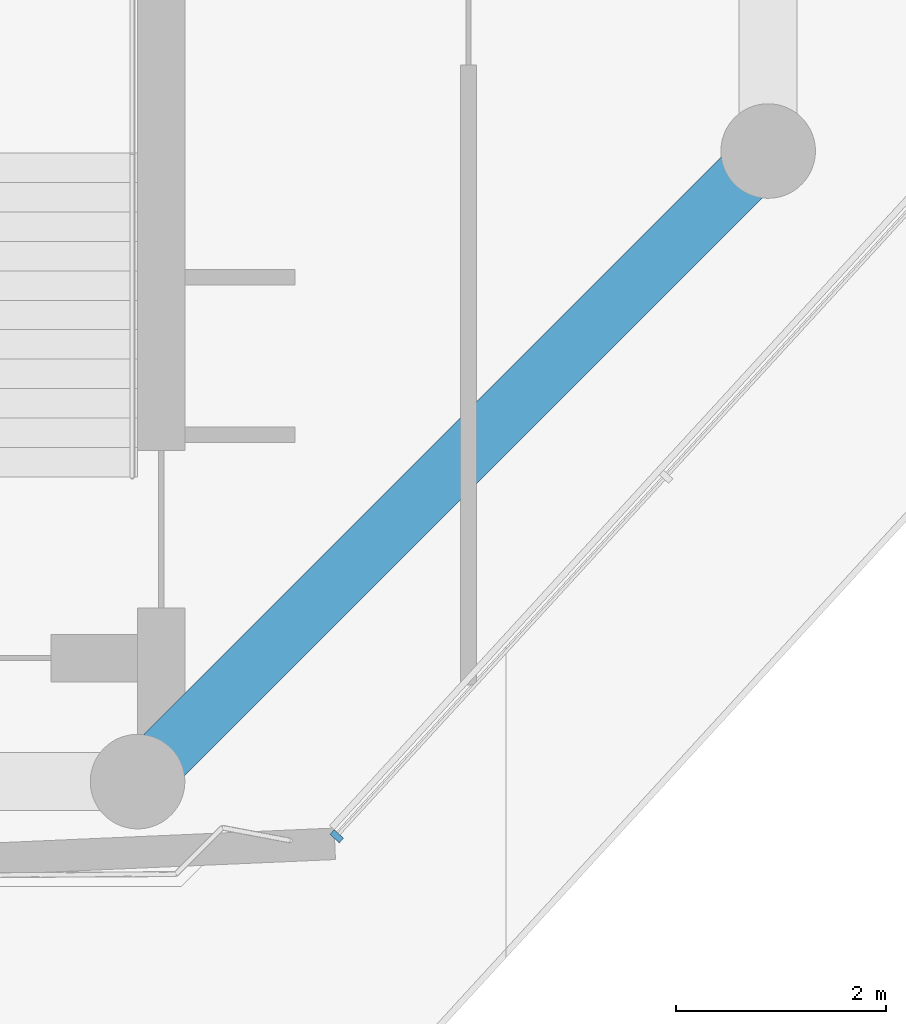
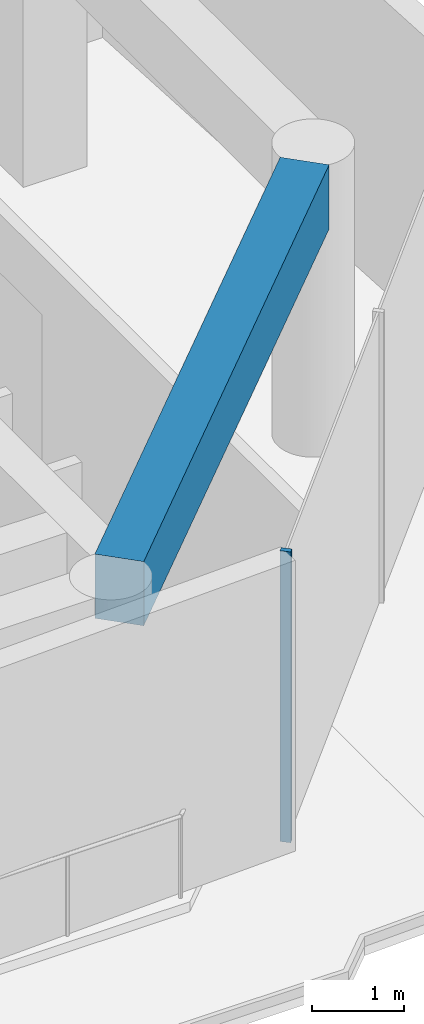
# One storey, part 3 of 21: 1 beam, 1 member, 1 element without a shape of its own.
"""IFC4 building model written with IfcOpenShell, lengths in metres."""

from ifc_helpers import new_model, si_unit, direction, frame, origin, origin_2d, place, context, subcontext, project, spatial, rectangle, extrude, material, layer, layer_set, material_profile, profile_set, type_object, element, aggregate, save


model = new_model("IFC4")

# Units and contexts
model_context = context("Model", 3, precision=1e-05, world=origin(), true_north=direction((0.0, 1.0)))
body_context = subcontext(model_context, "Body", "Model", "MODEL_VIEW")
ifc_project = project(units=[si_unit("LENGTHUNIT", "METRE"), si_unit("AREAUNIT", "SQUARE_METRE"), si_unit("VOLUMEUNIT", "CUBIC_METRE"), si_unit("PLANEANGLEUNIT", "RADIAN"), si_unit("MASSUNIT", "GRAM", prefix="KILO")], contexts=[model_context])

# Site, building, storey
site_placement = place(None, origin())
site = spatial("IfcSite", under=ifc_project, at=site_placement, CompositionType="ELEMENT")
building_placement = place(site_placement, origin())
building = spatial("IfcBuilding", under=site, at=building_placement, Name="Welwitschia Terrace Campus", CompositionType="ELEMENT")
storey_placement = place(building_placement, frame((0.0, 0.0, 218.0)))
storey = spatial("IfcBuildingStorey", under=building, at=storey_placement, Name="L48", CompositionType="ELEMENT", Elevation=218.0)

# Curtain wall, member
ifc_material_1 = material(Name="Bronze anodised aluminium", Category="aluminium")
ifc_layer = layer(ifc_material_1, 0.1201171875)
ifc_layer_set = layer_set([ifc_layer], Name="Bronze anodised aluminium")
curtain_wall_type = type_object("IfcCurtainWallType", Name="Curtain wall CW2 tower 6000", PredefinedType="NOTDEFINED", material=ifc_layer_set)
curtain_wall_placement = place(storey_placement, origin())
curtain_wall = element("IfcCurtainWall", 1, at=curtain_wall_placement, inside=storey, type_object=curtain_wall_type, Name="CW L48.2.0", PredefinedType="NOTDEFINED")
ifc_material_2 = material(Name="Bronze anodised aluminium", Category="aluminium")
ifc_material_profile_1 = material_profile(ifc_material_2, rectangle(XDim=0.1201171875, YDim=0.06005859375, at=origin_2d()))
ifc_profile_set_1 = profile_set([ifc_material_profile_1], Name="Bronze anodised aluminium")
member_type = type_object("IfcMemberType", Name="Mullion 60x120", PredefinedType="MULLION", material=ifc_profile_set_1)
member_placement = place(storey_placement, frame((25.89453125, 3.47998046875, 0.0), z_axis=(0.0, 0.0, 1.0), x_axis=(-0.73727733681, 0.675590207616, 0.0)))
member = element("IfcMember", 2, at=member_placement, type_object=member_type, Name="Mullion L48.2.0.0", PredefinedType="MULLION", context=body_context, shape_type="SweptSolid", body=[
    extrude(rectangle(XDim=0.1201171875, YDim=0.06005859375, at=origin_2d()), origin(), (0.0, 0.0, 1.0), 3.85009765625),
])
aggregate(curtain_wall, [member])

# Beam
ifc_material_3 = material(Name="Concrete C50/60", Category="concrete")
ifc_material_profile_2 = material_profile(ifc_material_3, rectangle(XDim=0.550048828125, YDim=0.85009765625, at=origin_2d()))
ifc_profile_set_2 = profile_set([ifc_material_profile_2], Name="Concrete C50/60")
beam_type = type_object("IfcBeamType", Name="Ring spandrel 550x850", PredefinedType="SPANDREL", material=ifc_profile_set_2)
beam_placement = place(storey_placement, frame((24.25244140625, 4.25244140625, 3.425048828125), z_axis=(0.707106781187, 0.707106781187, 0.0), x_axis=(-0.707106781187, 0.707106781187, 0.0)))
element("IfcBeam", 3, at=beam_placement, inside=storey, type_object=beam_type, Name="Spandrel SP3", PredefinedType="SPANDREL", context=body_context, shape_type="SweptSolid", body=[
    extrude(rectangle(XDim=0.550048828125, YDim=0.85009765625, at=origin_2d()), origin(), (0.0, 0.0, 1.0), 7.771240234375),
])

save(model, "model.ifc")
